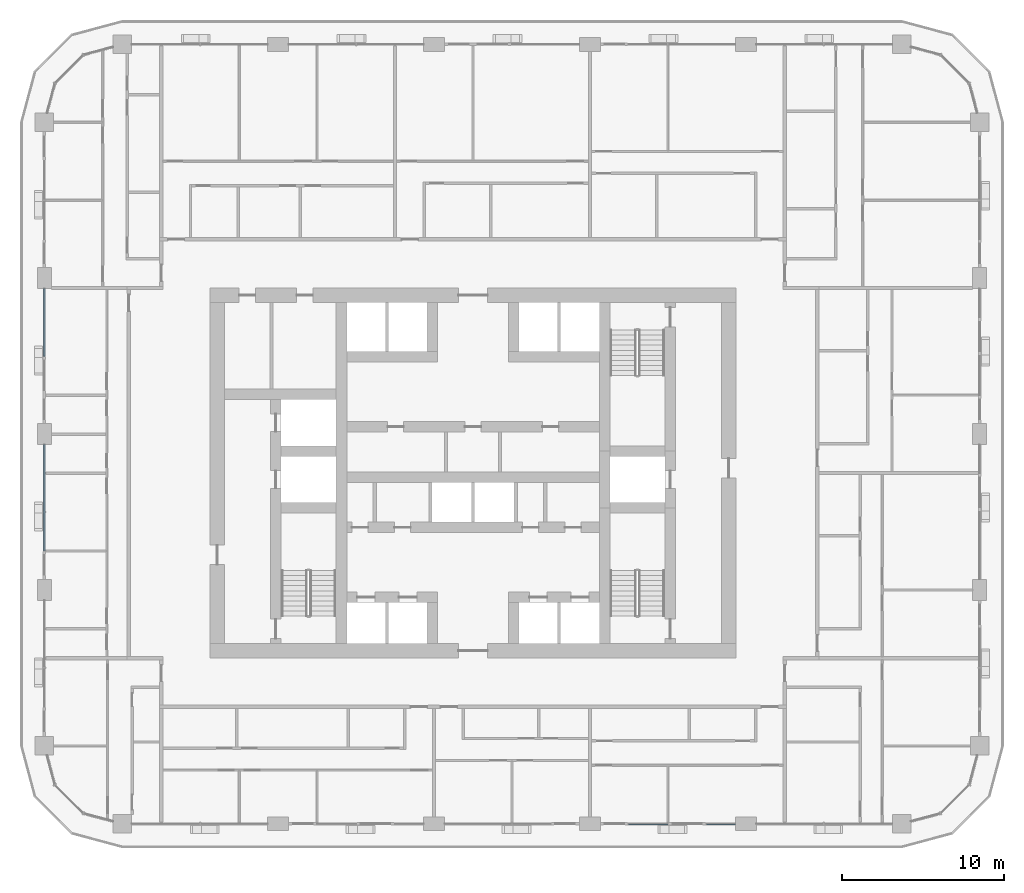
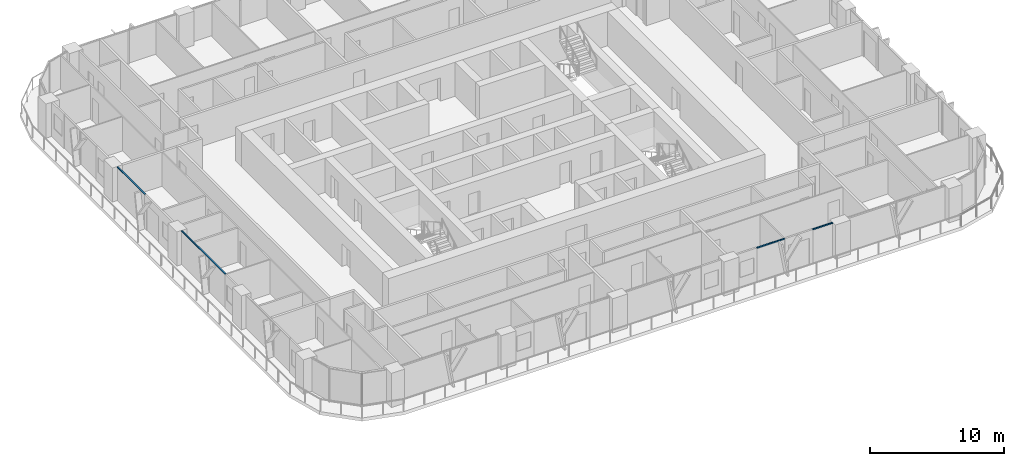
# One storey, part 3 of 21: 4 members, 3 elements without a shape of their own.
"""IFC4 building model written with IfcOpenShell, lengths in metres."""

from ifc_helpers import new_model, si_unit, direction, frame, origin, origin_2d, place, context, subcontext, project, spatial, rectangle, extrude, material, layer, layer_set, material_profile, profile_set, type_object, element, aggregate, save


model = new_model("IFC4")

# Units and contexts
model_context = context("Model", 3, precision=1e-05, world=origin(), true_north=direction((0.0, 1.0)))
body_context = subcontext(model_context, "Body", "Model", "MODEL_VIEW")
ifc_project = project(units=[si_unit("LENGTHUNIT", "METRE"), si_unit("AREAUNIT", "SQUARE_METRE"), si_unit("VOLUMEUNIT", "CUBIC_METRE"), si_unit("PLANEANGLEUNIT", "RADIAN"), si_unit("MASSUNIT", "GRAM", prefix="KILO")], contexts=[model_context])

# Site, building, storey
site_placement = place(None, origin())
site = spatial("IfcSite", under=ifc_project, at=site_placement, CompositionType="ELEMENT")
building_placement = place(site_placement, origin())
building = spatial("IfcBuilding", under=site, at=building_placement, Name="Madar Terraces", CompositionType="ELEMENT")
storey_placement = place(building_placement, frame((0.0, 0.0, 110.199951171875)))
storey = spatial("IfcBuildingStorey", under=building, at=storey_placement, Name="L28", CompositionType="ELEMENT", Elevation=110.199951171875)

# Curtain wall, members
ifc_material_1 = material(Name="Glass, ceramic frit dark grey, with black aluminium frame", Category="aluminium")
ifc_layer = layer(ifc_material_1, 0.199951171875)
ifc_layer_set = layer_set([ifc_layer], Name="Facade curtain wall, fritted glass")
curtain_wall_type = type_object("IfcCurtainWallType", Name="Facade curtain wall, fritted glass", PredefinedType="NOTDEFINED", material=ifc_layer_set)
curtain_wall_1_placement = place(storey_placement, origin())
curtain_wall_1 = element("IfcCurtainWall", 1, at=curtain_wall_1_placement, inside=storey, type_object=curtain_wall_type, Name="Outer skin curtain wall south bay 4", PredefinedType="NOTDEFINED")
ifc_material_2 = material(Name="Aluminium, black anodised", Category="aluminium")
ifc_material_profile = material_profile(ifc_material_2, rectangle(XDim=0.1201171875, YDim=0.06005859375, at=origin_2d()), Name="Facade transom 60x120")
ifc_profile_set = profile_set([ifc_material_profile], Name="Aluminium, black anodised")
member_type = type_object("IfcMemberType", Name="Facade transom 60x120", PredefinedType="USERDEFINED", material=ifc_profile_set)
member_1_placement = place(storey_placement, frame((40.800048828125, 4.800048828125, 3.070068359375), z_axis=(1.0, 0.0, 0.0), x_axis=(0.0, 1.0, 0.0)))
member_1 = element("IfcMember", 2, at=member_1_placement, type_object=member_type, Name="Transom 1", ObjectType="TRANSOM", PredefinedType="USERDEFINED", context=body_context, shape_type="SweptSolid", body=[
    extrude(rectangle(XDim=0.1201171875, YDim=0.06005859375, at=origin_2d()), origin(), (0.0, 0.0, 1.0), 2.39990234375),
])
member_2_placement = place(storey_placement, frame((45.60009765625, 4.800048828125, 3.070068359375), z_axis=(1.0, 0.0, 0.0), x_axis=(0.0, 1.0, 0.0)))
member_2 = element("IfcMember", 3, at=member_2_placement, type_object=member_type, Name="Transom 2", ObjectType="TRANSOM", PredefinedType="USERDEFINED", context=body_context, shape_type="SweptSolid", body=[
    extrude(rectangle(XDim=0.1201171875, YDim=0.06005859375, at=origin_2d()), origin(), (0.0, 0.0, 1.0), 1.75),
])
aggregate(curtain_wall_1, [member_1, member_2])

# Curtain wall, member
curtain_wall_2_placement = place(storey_placement, origin())
curtain_wall_2 = element("IfcCurtainWall", 4, at=curtain_wall_2_placement, inside=storey, type_object=curtain_wall_type, Name="Outer skin curtain wall west bay 2", PredefinedType="NOTDEFINED")
member_3_placement = place(storey_placement, frame((4.800048828125, 37.75, 3.070068359375), z_axis=(0.0, -1.0, 0.0), x_axis=(1.0, 0.0, 0.0)))
member_3 = element("IfcMember", 5, at=member_3_placement, type_object=member_type, Name="Transom 1", ObjectType="TRANSOM", PredefinedType="USERDEFINED", context=body_context, shape_type="SweptSolid", body=[
    extrude(rectangle(XDim=0.1201171875, YDim=0.06005859375, at=origin_2d()), origin(), (0.0, 0.0, 1.0), 4.14990234375),
])
aggregate(curtain_wall_2, [member_3])

curtain_wall_3_placement = place(storey_placement, origin())
curtain_wall_3 = element("IfcCurtainWall", 6, at=curtain_wall_3_placement, inside=storey, type_object=curtain_wall_type, Name="Outer skin curtain wall west bay 3", PredefinedType="NOTDEFINED")
member_4_placement = place(storey_placement, frame((4.800048828125, 28.14990234375, 3.070068359375), z_axis=(0.0, -1.0, 0.0), x_axis=(1.0, 0.0, 0.0)))
member_4 = element("IfcMember", 7, at=member_4_placement, type_object=member_type, Name="Transom 1", ObjectType="TRANSOM", PredefinedType="USERDEFINED", context=body_context, shape_type="SweptSolid", body=[
    extrude(rectangle(XDim=0.1201171875, YDim=0.06005859375, at=origin_2d()), origin(), (0.0, 0.0, 1.0), 6.5498046875),
])
aggregate(curtain_wall_3, [member_4])

save(model, "model.ifc")
